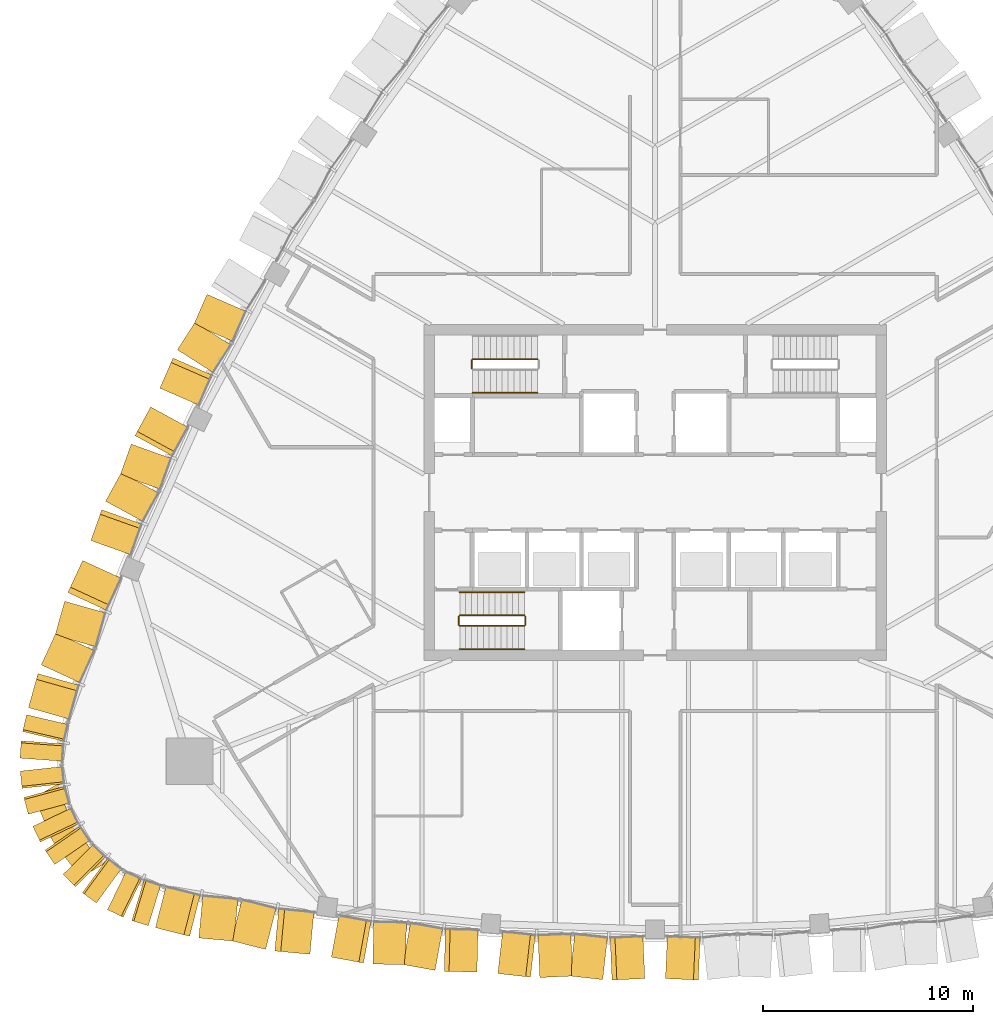
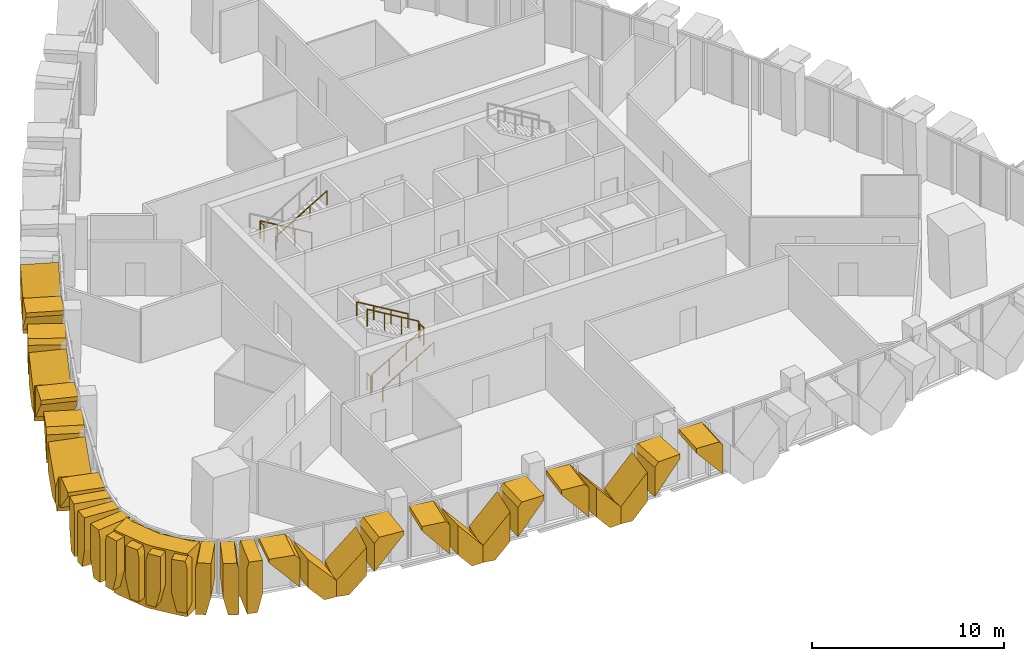
# One storey, part 16 of 19: 35 coverings, 9 railings.
"""IFC4 building model written with IfcOpenShell, lengths in metres."""

import ifcopenshell
import ifcopenshell.guid

model = None  # the IFC model being written
_history = None  # IfcOwnerHistory: only IFC2X3 demands one
_inside = {}  # id of a spatial element -> (the spatial element, [elements in it])
_under = {}  # id of a project, library or spatial element -> (it, [spatial elements below it])
_declared = {}  # id of a project -> (the project, [libraries it declares])
_typed = {}  # id of a type object -> (the type object, [elements of that type])
_made_of = {}  # id of a material, layer set ... -> (it, [elements and type objects made of it])


def new_model(schema):
    """Start an empty IFC model of exactly this schema.

    Asked for "IFC4X3", IfcOpenShell would pick the latest addendum, in which some entities
    have other attributes; the version numbers below select the first issue.
    IFC2X3 requires an IfcOwnerHistory on every rooted entity: one is made here for all.
    """
    global model, _history
    if schema == "IFC4X3":
        model = ifcopenshell.file(schema_version=(4, 3, 0, 0))
    else:
        model = ifcopenshell.file(schema=schema)
    _inside.clear()
    _under.clear()
    _declared.clear()
    _typed.clear()
    _made_of.clear()
    _history = None
    if model.schema == "IFC2X3":
        org = make("IfcOrganization", Name="unknown")
        user = make(
            "IfcPersonAndOrganization",
            ThePerson=make("IfcPerson", FamilyName="unknown"),
            TheOrganization=org,
        )
        app = make(
            "IfcApplication",
            ApplicationDeveloper=org,
            Version="unknown",
            ApplicationFullName="unknown",
            ApplicationIdentifier="unknown",
        )
        _history = make(
            "IfcOwnerHistory",
            OwningUser=user,
            OwningApplication=app,
            ChangeAction="ADDED",
            CreationDate=0,
        )
    return model


def make(cls, **values):
    """One entity of the class cls with the attributes given. An attribute that is None is left unset."""
    return model.create_entity(
        cls, **{name: value for name, value in values.items() if value is not None}
    )


def rooted(cls, **values):
    """An entity with a GlobalId (a new one), such as an element, a storey or a relation."""
    return make(cls, GlobalId=ifcopenshell.guid.new(), OwnerHistory=_history, **values)


def si_unit(unit_type, name, prefix=None):
    """IfcSIUnit, for example si_unit("LENGTHUNIT", "METRE", prefix="MILLI")."""
    return make("IfcSIUnit", UnitType=unit_type, Prefix=prefix, Name=name)


def assignment(units):
    """IfcUnitAssignment: the units of a project."""
    return None if units is None else make("IfcUnitAssignment", Units=units)


def point(xyz):
    """IfcCartesianPoint."""
    return None if xyz is None else make("IfcCartesianPoint", Coordinates=xyz)


def direction(xyz):
    """IfcDirection."""
    return None if xyz is None else make("IfcDirection", DirectionRatios=xyz)


def frame(location, z_axis=None, x_axis=None):
    """IfcAxis2Placement3D, a coordinate frame: its origin and axes. An axis left out is left unset."""
    return make(
        "IfcAxis2Placement3D",
        Location=point(location),
        Axis=direction(z_axis),
        RefDirection=direction(x_axis),
    )


def frame_2d(location, x_axis=None):
    """IfcAxis2Placement2D, a coordinate frame in the plane: its origin and x axis."""
    return make(
        "IfcAxis2Placement2D", Location=point(location), RefDirection=direction(x_axis)
    )


def origin():
    """The frame at (0, 0, 0) with its axes left unset."""
    return frame((0.0, 0.0, 0.0))


def origin_2d():
    """The frame at (0, 0) in the plane with its x axis left unset."""
    return frame_2d((0.0, 0.0))


def place(relative_to, where):
    """IfcLocalPlacement: puts the frame where relative to a parent placement (None: the world)."""
    return make(
        "IfcLocalPlacement", PlacementRelTo=relative_to, RelativePlacement=where
    )


def context(
    kind, dimensions, precision=None, world=None, true_north=None, identifier=None
):
    """IfcGeometricRepresentationContext, for example the 3D "Model" context."""
    return make(
        "IfcGeometricRepresentationContext",
        ContextIdentifier=identifier,
        ContextType=kind,
        CoordinateSpaceDimension=dimensions,
        Precision=precision,
        WorldCoordinateSystem=world,
        TrueNorth=true_north,
    )


def subcontext(parent, identifier, kind, view, scale=None):
    """IfcGeometricRepresentationSubContext, for example "Body" below "Model"."""
    return make(
        "IfcGeometricRepresentationSubContext",
        ContextIdentifier=identifier,
        ContextType=kind,
        ParentContext=parent,
        TargetScale=scale,
        TargetView=view,
    )


def project(units=None, contexts=None):
    """IfcProject with its units and contexts."""
    return rooted(
        "IfcProject",
        Name="project",
        RepresentationContexts=contexts,
        UnitsInContext=assignment(units),
    )


def spatial(cls, under=None, at=None, **own):
    """A site, building, storey or space (cls), placed at a placement, below another one or the project."""
    s = rooted(cls, ObjectPlacement=at, **own)
    if under is not None:
        _under.setdefault(under.id(), (under, []))[1].append(s)
    return s


def polyline(points):
    """IfcPolyline through the points."""
    return make("IfcPolyline", Points=[point(p) for p in points])


def profile(cls, at=None, kind="AREA", **sizes):
    """A parametric profile (cls). Its sizes go by their IFC names, for example OverallWidth=200.0."""
    return make(cls, ProfileType=kind, Position=at, **sizes)


def circle(**sizes):
    """IfcCircleProfileDef."""
    return profile("IfcCircleProfileDef", **sizes)


def outline(outer, holes=None, kind="AREA"):
    """IfcArbitraryClosedProfileDef: a profile drawn as a closed curve; with holes, ...WithVoids."""
    if holes is None:
        return make("IfcArbitraryClosedProfileDef", ProfileType=kind, OuterCurve=outer)
    return make(
        "IfcArbitraryProfileDefWithVoids",
        ProfileType=kind,
        OuterCurve=outer,
        InnerCurves=holes,
    )


def extrude(swept, where, along, depth):
    """IfcExtrudedAreaSolid: the profile swept, set in the frame where, extruded along a direction by depth."""
    return make(
        "IfcExtrudedAreaSolid",
        SweptArea=swept,
        Position=where,
        ExtrudedDirection=direction(along),
        Depth=depth,
    )


def shape(context_of_items, identifier, shape_type, items):
    """IfcShapeRepresentation: the items that make up one representation, for example the "Body"."""
    return make(
        "IfcShapeRepresentation",
        ContextOfItems=context_of_items,
        RepresentationIdentifier=identifier,
        RepresentationType=shape_type,
        Items=items,
    )


def material(Name=None, Category=None):
    """IfcMaterial."""
    return make("IfcMaterial", Name=Name, Category=Category)


def layer(
    of_material, thickness, ventilated=None, Name=None, Category=None, Priority=None
):
    """IfcMaterialLayer: one layer of a wall or slab, of a material (None: an air gap)."""
    return make(
        "IfcMaterialLayer",
        Material=of_material,
        LayerThickness=thickness,
        IsVentilated=ventilated,
        Name=Name,
        Category=Category,
        Priority=Priority,
    )


def layer_set(layers, Name=None):
    """IfcMaterialLayerSet."""
    return make("IfcMaterialLayerSet", MaterialLayers=layers, LayerSetName=Name)


def made_of(thing, what):
    """Note that an element or type object is made of a material, layer set ...; save() writes the relation."""
    if what is not None:
        _made_of.setdefault(what.id(), (what, []))[1].append(thing)
    return thing


def type_object(cls, material=None, **own):
    """A type object (cls), such as IfcWallType, which elements share."""
    return made_of(rooted(cls, **own), material)


def element(
    cls,
    number,
    at=None,
    inside=None,
    cuts=None,
    type_object=None,
    material=None,
    context=None,
    identifier="Body",
    shape_type=None,
    held_by="IfcProductDefinitionShape",
    body=None,
    shapes=None,
    **own,
):
    """One element of the class cls, such as IfcWall. Its Tag is "e" and its number.

    at: its placement. inside: the storey or other place that contains it. cuts: it is an
    opening in that element (IfcRelVoidsElement). A single representation is given by context,
    identifier, shape_type and body (its items); several are given by shapes. held_by: the class
    of the entity that holds the representations. save() writes the other relations.
    """
    e = rooted(cls, Tag="e%d" % number, ObjectPlacement=at, **own)
    if body is not None:
        shapes = [shape(context, identifier, shape_type, body)]
    if shapes is not None:
        e.Representation = make(held_by, Representations=shapes)
    if inside is not None:
        _inside.setdefault(inside.id(), (inside, []))[1].append(e)
    if cuts is not None:
        rooted(
            "IfcRelVoidsElement", RelatingBuildingElement=cuts, RelatedOpeningElement=e
        )
    if type_object is not None:
        _typed.setdefault(type_object.id(), (type_object, []))[1].append(e)
    return made_of(e, material)


def aggregate(whole, parts):
    """IfcRelAggregates: a whole, such as a stair, and the parts it consists of."""
    return rooted("IfcRelAggregates", RelatingObject=whole, RelatedObjects=parts)


def save(model, path):
    """Write the relations noted so far, then the file.

    IfcRelAggregates (storeys below a building ...), IfcRelContainedInSpatialStructure (elements
    in a storey), IfcRelDefinesByType, IfcRelAssociatesMaterial and IfcRelDeclares: one each for
    every whole, place, type object, material and project.
    """
    for whole, parts in _under.values():
        aggregate(whole, parts)
    for where, things in _inside.values():
        rooted(
            "IfcRelContainedInSpatialStructure",
            RelatedElements=things,
            RelatingStructure=where,
        )
    for kind, things in _typed.values():
        rooted("IfcRelDefinesByType", RelatedObjects=things, RelatingType=kind)
    for what, things in _made_of.values():
        rooted("IfcRelAssociatesMaterial", RelatedObjects=things, RelatingMaterial=what)
    for by, libraries in _declared.values():
        rooted("IfcRelDeclares", RelatingContext=by, RelatedDefinitions=libraries)
    model.write(path)


model = new_model("IFC4")

# Units and contexts
model_context = context("Model", 3, precision=1e-05, world=origin(), true_north=direction((0.0, 1.0)))
body_context = subcontext(model_context, "Body", "Model", "MODEL_VIEW")
ifc_project = project(units=[si_unit("LENGTHUNIT", "METRE"), si_unit("AREAUNIT", "SQUARE_METRE"), si_unit("VOLUMEUNIT", "CUBIC_METRE"), si_unit("PLANEANGLEUNIT", "RADIAN"), si_unit("MASSUNIT", "GRAM", prefix="KILO")], contexts=[model_context])

# Site, building, storey
site_placement = place(None, origin())
site = spatial("IfcSite", under=ifc_project, at=site_placement, CompositionType="ELEMENT")
building_placement = place(site_placement, origin())
building = spatial("IfcBuilding", under=site, at=building_placement, Name="Sierra Prisma Convention Tower", CompositionType="ELEMENT")
storey_placement = place(building_placement, frame((0.0, 0.0, 235.0)))
storey = spatial("IfcBuildingStorey", under=building, at=storey_placement, Name="L52", CompositionType="ELEMENT", Elevation=235.0)

# Coverings
ifc_material_1 = material(Name="Aluminium composite bronze anodised", Category="aluminium")
ifc_layer_1 = layer(ifc_material_1, 1.199951171875)
ifc_layer_set_1 = layer_set([ifc_layer_1], Name="Bronze corner pier")
covering_type_1 = type_object("IfcCoveringType", Name="Bronze corner pier", PredefinedType="CLADDING", material=ifc_layer_set_1)
covering_1_placement = place(storey_placement, frame((0.0, 0.0, -0.60009765625)))
element("IfcCovering", 1, at=covering_1_placement, inside=storey, type_object=covering_type_1, Name="Corner pier SW L52.1", PredefinedType="CLADDING", context=body_context, shape_type="SweptSolid", body=[
    extrude(outline(polyline([(-27.504638671875, -18.094970703125), (-28.593994140625, -16.702880859375), (-28.76220703125, -16.411865234375), (-29.423095703125, -14.772216796875), (-29.493408203125, -14.48779296875), (-28.3603515625, -13.83349609375), (-28.31005859375, -14.32373046875), (-27.649169921875, -15.963134765625), (-26.559814453125, -17.355224609375), (-26.160400390625, -17.64404296875), (-27.29345703125, -18.298095703125), (-27.504638671875, -18.094970703125)])), origin(), (0.0, 0.0, 1.0), 4.0),
])
ifc_material_2 = material(Name="Aluminium 6063-T6 bronze anodised", Category="aluminium")
ifc_layer_2 = layer(ifc_material_2, 2.0)
ifc_layer_set_2 = layer_set([ifc_layer_2], Name="Bronze crystal chevron frame")
covering_type_2 = type_object("IfcCoveringType", Name="Bronze crystal chevron frame", PredefinedType="CLADDING", material=ifc_layer_set_2)
covering_2_placement = place(storey_placement, frame((-23.778564453125, -20.708984375, 3.280029296875), z_axis=(-0.246336925667, -0.969184253533, -4.1912138e-05), x_axis=(1.0324507e-05, 4.0620584e-05, -0.999999999122)))
element("IfcCovering", 2, at=covering_2_placement, inside=storey, type_object=covering_type_2, Name="CW-2 chevron frame S1.1.1", PredefinedType="CLADDING", context=body_context, shape_type="SweptSolid", body=[
    extrude(outline(polyline([(0.0, 0.0), (0.2421874997872834, 0.0), (2.1035156237013997, 1.6799391801417956), (0.312500000274473, 1.6799391801417956), (-3.5715800776306612e-09, 1.3980844761362197), (0.0, 0.0)])), origin(), (0.0, 0.0, -1.0), 2.0),
])
covering_3_placement = place(storey_placement, frame((-21.71337890625, -21.1982421875, 2.823486328125), z_axis=(-0.091699177259, -0.995786754717, 4.417036e-06), x_axis=(-4.05039e-07, -4.398426e-06, -0.99999999999)))
element("IfcCovering", 3, at=covering_3_placement, inside=storey, type_object=covering_type_2, Name="CW-2 chevron frame S1.1.2", PredefinedType="CLADDING", context=body_context, shape_type="SweptSolid", body=[
    extrude(outline(polyline([(0.0, 0.0), (1.7910156249825284, 0.0), (2.8234863281713154, 0.9316612255868668), (2.8234863281176006, 1.6799299375587982), (1.8613281250019862, 1.6799299375587982), (0.0, 0.0)])), origin(), (0.0, 0.0, -1.0), 2.0),
])
covering_4_placement = place(storey_placement, frame((-20.1630859375, -21.331298828125, 0.0), z_axis=(-0.246452552821, -0.96915485796, -2.2360922e-05), x_axis=(0.969154858203, -0.246452552882, -1.84e-09)))
element("IfcCovering", 4, at=covering_4_placement, inside=storey, type_object=covering_type_2, Name="CW-2 chevron frame S1.2.1", PredefinedType="CLADDING", context=body_context, shape_type="SweptSolid", body=[
    extrude(outline(polyline([(0.0, 0.0), (0.7481595718476574, -8.470329472543003e-22), (1.6799993338038257, 1.032470706474329), (1.6799993305083494, 2.8234863310265657), (-1.7703751162901003e-09, 0.9621582028844552), (0.0, 0.0)])), origin(), (0.0, 0.0, -1.0), 2.0),
])
covering_5_placement = place(storey_placement, frame((-16.425048828125, -21.974853515625, 3.280029296875), z_axis=(-0.091847381881, -0.995773095833, 7.550063e-06), x_axis=(-0.995773095861, 0.091847381883, 8.3e-11)))
element("IfcCovering", 5, at=covering_5_placement, inside=storey, type_object=covering_type_2, Name="CW-2 chevron frame S1.2.2", PredefinedType="CLADDING", context=body_context, shape_type="SweptSolid", body=[
    extrude(outline(polyline([(0.0, 0.0), (1.3980004676444597, 2.117582368135751e-22), (1.679952343282643, 0.3125000001481813), (1.6799523431341612, 2.1035156250971343), (-2.0078271312283478e-11, 0.24218749999309724), (0.0, 0.0)])), origin(), (0.0, 0.0, -1.0), 2.0),
])
covering_6_placement = place(storey_placement, frame((-15.40869140625, -22.11279296875, 3.280029296875), z_axis=(-0.179828920151, -0.983697900149, -2.6835464e-05), x_axis=(4.825793e-06, 2.639799e-05, -0.99999999964)))
element("IfcCovering", 6, at=covering_6_placement, inside=storey, type_object=covering_type_2, Name="CW-2 chevron frame S2.1.1", PredefinedType="CLADDING", context=body_context, shape_type="SweptSolid", body=[
    extrude(outline(polyline([(0.0, 0.0), (0.283935546772763, 0.0), (2.135253905675785, 1.5558803908253522), (0.2702636719723141, 1.5558803908253522), (-1.5475319965770916e-09, 1.3288015312950088), (0.0, 0.0)])), origin(), (0.0, 0.0, -1.0), 2.0),
])
covering_7_placement = place(storey_placement, frame((-13.43701171875, -22.43798828125, 2.855224609375), z_axis=(-0.023726256645, -0.999718491194, -5.5772971e-05), x_axis=(1.323284e-06, 5.575727e-05, -0.999999998445)))
element("IfcCovering", 7, at=covering_7_placement, inside=storey, type_object=covering_type_2, Name="CW-2 chevron frame S2.1.2", PredefinedType="CLADDING", context=body_context, shape_type="SweptSolid", body=[
    extrude(outline(polyline([(0.0, 0.0), (1.864990231474358, 0.0), (2.8552246169385405, 0.8322604306206902), (2.8552246080144816, 1.5561008057993417), (1.8513183595758693, 1.5561008057993417), (0.0, 0.0)])), origin(), (0.0, 0.0, -1.0), 2.0),
])
covering_8_placement = place(storey_placement, frame((-12.0048828125, -22.462158203125, 0.0), z_axis=(-0.179821748669, -0.983699211491, -4.130661e-06), x_axis=(0.9836992115, -0.179821748671, -6.8e-11)))
element("IfcCovering", 8, at=covering_8_placement, inside=storey, type_object=covering_type_2, Name="CW-2 chevron frame S2.2.1", PredefinedType="CLADDING", context=body_context, shape_type="SweptSolid", body=[
    extrude(outline(polyline([(0.0, 0.0), (0.7237089581968825, 0.0), (1.5558803907699026, 0.9902343751136843), (1.5558803906437586, 2.855224609472774), (-6.790209245338914e-11, 1.0039062499914355), (0.0, 0.0)])), origin(), (0.0, 0.0, -1.0), 2.0),
])
covering_9_placement = place(storey_placement, frame((-8.4775390625, -22.82421875, 3.280029296875), z_axis=(-0.023691462687, -0.999719317899, 3.959562e-06), x_axis=(-0.999719317907, 0.023691462687, 2.5e-11)))
element("IfcCovering", 9, at=covering_9_placement, inside=storey, type_object=covering_type_2, Name="CW-2 chevron frame S2.2.2", PredefinedType="CLADDING", context=body_context, shape_type="SweptSolid", body=[
    extrude(outline(polyline([(0.0, 0.0), (1.3289865055504513, 0.0), (1.5561008067721895, 0.27026367191656736), (1.55610080672491, 2.1352539062769478), (-7.198052564198328e-12, 0.2839355468727742), (0.0, 0.0)])), origin(), (0.0, 0.0, -1.0), 2.0),
])
covering_10_placement = place(storey_placement, frame((-7.486083984375, -22.8916015625, 3.280029296875), z_axis=(-0.112370173205, -0.993666411588, 8.1585093e-05), x_axis=(-9.167731e-06, -8.1068367e-05, -0.999999996672)))
element("IfcCovering", 10, at=covering_10_placement, inside=storey, type_object=covering_type_2, Name="CW-2 chevron frame S3.1.1", PredefinedType="CLADDING", context=body_context, shape_type="SweptSolid", body=[
    extrude(outline(polyline([(0.0, 0.0), (0.28100585843979464, 0.0), (2.1330566353444618, 1.5641081353019988), (0.27319336028420493, 1.5641081353019988), (-1.4249897817137616e-08, 1.333376599130333), (0.0, 0.0)])), origin(), (0.0, 0.0, -1.0), 2.0),
])
covering_11_placement = place(storey_placement, frame((-5.48876953125, -23.08251953125, 2.85302734375), z_axis=(0.044479301233, -0.999010306057, -1.2391676e-05), x_axis=(-5.51173e-07, 1.2379412e-05, -0.999999999923)))
element("IfcCovering", 11, at=covering_11_placement, inside=storey, type_object=covering_type_2, Name="CW-2 chevron frame S3.1.2", PredefinedType="CLADDING", context=body_context, shape_type="SweptSolid", body=[
    extrude(outline(polyline([(0.0, 0.0), (1.8598632811072056, 0.0), (2.8530273441227503, 0.8387228280616025), (2.8530273436834577, 1.5640484765890152), (1.8520507812603095, 1.5640484765890152), (0.0, 0.0)])), origin(), (0.0, 0.0, -1.0), 2.0),
])
covering_12_placement = place(storey_placement, frame((-4.050537109375, -23.0087890625, 0.0), z_axis=(-0.11239015357, -0.993664155183, 9.224654e-06), x_axis=(0.993664155225, -0.112390153574, -3.36e-10)))
element("IfcCovering", 12, at=covering_12_placement, inside=storey, type_object=covering_type_2, Name="CW-2 chevron frame S3.2.1", PredefinedType="CLADDING", context=body_context, shape_type="SweptSolid", body=[
    extrude(outline(polyline([(0.0, 0.0), (0.7253014886520524, 0.0), (1.5641081351006256, 0.9931640630672351), (1.564108134476379, 2.853027344238103), (-3.3596887334187943e-10, 1.0009765624574112), (0.0, 0.0)])), origin(), (0.0, 0.0, -1.0), 2.0),
])
covering_13_placement = place(storey_placement, frame((-0.49072265625, -23.130126953125, 3.280029296875), z_axis=(0.044487834454, -0.999009926162, -3.853037e-06), x_axis=(-0.99900992617, -0.044487834454, 2.4e-11)))
element("IfcCovering", 13, at=covering_13_placement, inside=storey, type_object=covering_type_2, Name="CW-2 chevron frame S3.2.2", PredefinedType="CLADDING", context=body_context, shape_type="SweptSolid", body=[
    extrude(outline(polyline([(0.0, 0.0), (1.3333517336314005, 0.0), (1.5640484766305687, 0.27319335941431017), (1.564048476586235, 2.1330566406505045), (-6.698337540848621e-12, 0.2810058593729141), (0.0, 0.0)])), origin(), (0.0, 0.0, -1.0), 2.0),
])
covering_14_placement = place(storey_placement, frame((0.49072265625, -23.130126953125, 3.280029296875), z_axis=(-0.044487834454, -0.999009926162, -3.853037e-06), x_axis=(1.71413e-07, 3.849222e-06, -0.999999999993)))
element("IfcCovering", 14, at=covering_14_placement, inside=storey, type_object=covering_type_2, Name="CW-2 chevron frame S4.1.1", PredefinedType="CLADDING", context=body_context, shape_type="SweptSolid", body=[
    extrude(outline(polyline([(0.0, 0.0), (0.2810058593729141, -7.438163164441679e-24), (2.1330566406132223, 1.5640484766370808), (0.27319335937702793, 1.5640484766370808), (-3.17831094072656e-11, 1.3333517336314005), (0.0, 0.0)])), origin(), (0.0, 0.0, -1.0), 2.0),
])
covering_15_placement = place(storey_placement, frame((-21.32666015625, 9.43017578125, 2.85302734375), z_axis=(-0.916724133803, 0.399520790479, -2.1883798e-05), x_axis=(2.0061406e-05, -8.743032e-06, -0.999999999761)))
element("IfcCovering", 15, at=covering_15_placement, inside=storey, type_object=covering_type_2, Name="CW-2 chevron frame NW4.1.2", PredefinedType="CLADDING", context=body_context, shape_type="SweptSolid", body=[
    extrude(outline(polyline([(0.0, 0.0), (1.8598632808046553, 0.0), (2.853027344912527, 0.8386002985117376), (2.853027343542469, 1.5638129438619193), (1.852050781282153, 1.5638129438619193), (0.0, 0.0)])), origin(), (0.0, 0.0, -1.0), 2.0),
])
covering_16_placement = place(storey_placement, frame((-21.89306640625, 8.106201171875, 0.0), z_axis=(-0.842991322279, 0.537927159895, -3.4767242e-05), x_axis=(-0.53792716022, -0.842991322789, -4.767e-09)))
element("IfcCovering", 16, at=covering_16_placement, inside=storey, type_object=covering_type_2, Name="CW-2 chevron frame NW4.2.1", PredefinedType="CLADDING", context=body_context, shape_type="SweptSolid", body=[
    extrude(outline(polyline([(0.0, 0.0), (0.7254152503950564, -1.6940658945086007e-21), (1.5639282514127886, 0.9931640705555325), (1.5639282425467758, 2.8530273506814674), (-4.7716792381794914e-09, 1.0009765618950293), (0.0, 0.0)])), origin(), (0.0, 0.0, -1.0), 2.0),
])
covering_17_placement = place(storey_placement, frame((-23.567626953125, 4.962646484375, 3.280029296875), z_axis=(-0.916752388275, 0.399455952002, 3.1675167e-05), x_axis=(0.399455952202, 0.916752388734, 1.611e-09)))
element("IfcCovering", 17, at=covering_17_placement, inside=storey, type_object=covering_type_2, Name="CW-2 chevron frame NW4.2.2", PredefinedType="CLADDING", context=body_context, shape_type="SweptSolid", body=[
    extrude(outline(polyline([(0.0, 0.0), (1.333445336449794, 3.3881317890172014e-21), (1.5640367575488396, 0.2731933620314646), (1.564036754552895, 2.1330566423484494), (-4.526558268415829e-10, 0.28100585923403115), (0.0, 0.0)])), origin(), (0.0, 0.0, -1.0), 2.0),
])
covering_18_placement = place(storey_placement, frame((-24.005126953125, 4.0703125, 3.280029296875), z_axis=(-0.877652365836, 0.479297740095, 3.2899308e-05), x_axis=(-2.8874156e-05, 1.5768564e-05, -0.999999999459)))
element("IfcCovering", 18, at=covering_18_placement, inside=storey, type_object=covering_type_2, Name="CW-2 chevron frame NW5.1.1", PredefinedType="CLADDING", context=body_context, shape_type="SweptSolid", body=[
    extrude(outline(polyline([(0.0, 0.0), (0.28393554672133914, -4.810055261995856e-22), (2.1352539053869624, 1.556113753399904), (0.2702636720212619, 1.556113753399904), (-2.3259209355283735e-09, 1.3290797877974194), (0.0, 0.0)])), origin(), (0.0, 0.0, -1.0), 2.0),
])
covering_19_placement = place(storey_placement, frame((-24.932373046875, 2.300048828125, 2.855224609375), z_axis=(-0.941826573956, 0.336099244089, -5.2081077e-05), x_axis=(4.9051343e-05, -1.7504411e-05, -0.999999998644)))
element("IfcCovering", 19, at=covering_19_placement, inside=storey, type_object=covering_type_2, Name="CW-2 chevron frame NW5.1.2", PredefinedType="CLADDING", context=body_context, shape_type="SweptSolid", body=[
    extrude(outline(polyline([(0.0, 0.0), (1.8649902318456644, 0.0), (2.855224615970345, 0.8322848554880771), (2.8552246081886397, 1.5560814240582963), (1.8513183595501563, 1.5560814240582963), (0.0, 0.0)])), origin(), (0.0, 0.0, -1.0), 2.0),
])
covering_20_placement = place(storey_placement, frame((-25.75146484375, 0.3125, 0.0), z_axis=(-0.877675568454, 0.479255251786, 1.3174847e-05), x_axis=(-0.308282066802, -0.564587919255, 0.765638719449)))
element("IfcCovering", 20, at=covering_20_placement, inside=storey, type_object=covering_type_2, Name="CW-2 chevron frame NW5.2.1", PredefinedType="CLADDING", context=body_context, shape_type="SweptSolid", body=[
    extrude(outline(polyline([(0.0, 0.0), (1.2933441717931542, -1.1102230246251565e-16), (2.7212529066241053, 1.1996938020611168), (0.30302241981044614, 1.1999620157339734), (-0.46560707588596323, 0.5541784165619205), (0.0, 0.0)])), origin(), (0.0, 0.0, -1.0), 2.0),
])
covering_21_placement = place(storey_placement, frame((-26.8544921875, -2.287841796875, 3.280029296875), z_axis=(-0.941822089198, 0.336111813248, -3.5963822e-05), x_axis=(0.336111813465, 0.941822089808, 2.092e-09)))
element("IfcCovering", 21, at=covering_21_placement, inside=storey, type_object=covering_type_2, Name="CW-2 chevron frame NW5.2.2", PredefinedType="CLADDING", context=body_context, shape_type="SweptSolid", body=[
    extrude(outline(polyline([(0.0, 0.0), (1.3287423191358554, -3.3881317890172014e-21), (1.555851485632508, 0.27026367530425055), (1.5558514817313918, 2.1352539084731648), (-5.939256749814332e-10, 0.2839355466913794), (0.0, 0.0)])), origin(), (0.0, 0.0, -1.0), 2.0),
])
covering_22_placement = place(storey_placement, frame((-27.2431640625, -3.237060546875, 3.280029296875), z_axis=(-0.908268039826, 0.418388775438, -2.0437365e-05), x_axis=(1.8562605e-05, -8.550764e-06, -0.999999999791)))
element("IfcCovering", 22, at=covering_22_placement, inside=storey, type_object=covering_type_2, Name="CW-2 chevron frame NW6.1.1", PredefinedType="CLADDING", context=body_context, shape_type="SweptSolid", body=[
    extrude(outline(polyline([(0.0, 0.0), (0.24218749994942085, 0.0), (2.103515624691222, 1.6799845055754667), (0.3125000000652634, 1.6799845055754667), (-8.492402122969037e-10, 1.39803749567423), (0.0, 0.0)])), origin(), (0.0, 0.0, -1.0), 2.0),
])
covering_23_placement = place(storey_placement, frame((-28.099365234375, -5.178955078125, 2.823486328125), z_axis=(-0.962524933238, 0.27119320198, -9.707092e-06), x_axis=(9.343318e-06, -2.632497e-06, -0.999999999953)))
element("IfcCovering", 23, at=covering_23_placement, inside=storey, type_object=covering_type_2, Name="CW-2 chevron frame NW6.1.2", PredefinedType="CLADDING", context=body_context, shape_type="SweptSolid", body=[
    extrude(outline(polyline([(0.0, 0.0), (1.7910156249156186, 0.0), (2.8234863283486873, 0.9318851486687146), (2.823486328089262, 1.6798948115373191), (1.8613281250095932, 1.6798948115373191), (0.0, 0.0)])), origin(), (0.0, 0.0, -1.0), 2.0),
])
covering_24_placement = place(storey_placement, frame((-28.511962890625, -6.679443359375, 0.0), z_axis=(-0.908277114343, 0.418369074757, -2.9107345e-05), x_axis=(-0.418369074934, -0.908277114728, -3.117e-09)))
element("IfcCovering", 24, at=covering_24_placement, inside=storey, type_object=covering_type_2, Name="CW-2 chevron frame NW6.2.1", PredefinedType="CLADDING", context=body_context, shape_type="SweptSolid", body=[
    extrude(outline(polyline([(0.0, 0.0), (0.7482892191085257, 1.6940658945086007e-21), (1.6799845021003565, 1.032470708799278), (1.6799844965173425, 2.8234863330405697), (-2.9992718566429923e-09, 0.9621582027174116), (0.0, 0.0)])), origin(), (0.0, 0.0, -1.0), 2.0),
])
covering_25_placement = place(storey_placement, frame((-29.82373046875, -10.23828125, 3.280029296875), z_axis=(-0.962524995153, 0.271192980653, 3.0835866e-05), x_axis=(0.271192980782, 0.96252499561, 1.383e-09)))
element("IfcCovering", 25, at=covering_25_placement, inside=storey, type_object=covering_type_2, Name="CW-2 chevron frame NW6.2.2", PredefinedType="CLADDING", context=body_context, shape_type="SweptSolid", body=[
    extrude(outline(polyline([(0.0, 0.0), (1.397860827627615, -1.6940658945086007e-21), (1.6798948111073833, 0.3125000024719022), (1.679894808630369, 2.1035156266204083), (-3.349506810266933e-10, 0.2421874998848579), (0.0, 0.0)])), origin(), (0.0, 0.0, -1.0), 2.0),
])
covering_26_placement = place(storey_placement, frame((-29.910888671875, -10.57763671875, 3.280029296875), z_axis=(-0.973841573523, 0.227228054118, 3.3163125e-05), x_axis=(-3.229563e-05, 7.535592e-06, -0.99999999945)))
element("IfcCovering", 26, at=covering_26_placement, inside=storey, type_object=covering_type_2, Name="CW-2 chevron frame SW1.1.1", PredefinedType="CLADDING", context=body_context, shape_type="SweptSolid", body=[
    extrude(outline(polyline([(0.0, 0.0), (2.128906248829322, -1.8032537353656003e-21), (3.280029298502559, 0.27353620877194873), (3.2800292959036597, 0.8250546303431374), (0.4099121099819267, 0.8250546303431374), (-2.8523512427232805e-09, 0.7277576860875585), (0.0, 0.0)])), origin(), (0.0, 0.0, -1.0), 2.0),
])
covering_27_placement = place(storey_placement, frame((-30.204345703125, -12.369873046875, 0.0), z_axis=(-0.99741428059, 0.07186620825, -3.1403443e-05), x_axis=(-0.016638464109, -0.23049620581, 0.972930963953)))
element("IfcCovering", 27, at=covering_27_placement, inside=storey, type_object=covering_type_2, Name="CW-2 chevron frame SW1.1.2", PredefinedType="CLADDING", context=body_context, shape_type="SweptSolid", body=[
    extrude(outline(polyline([(0.0, 0.0), (1.1831497735651537, -5.551115123125783e-17), (3.2544285835439135, 0.49198161363250864), (3.0862582097174096, 1.1999912741046217), (2.6649273762581087, 1.2000505676546738), (-0.12749850563527435, 0.5367781078079109), (0.0, 0.0)])), origin(), (0.0, 0.0, -1.0), 2.0),
])
covering_28_placement = place(storey_placement, frame((-30.212890625, -13.259521484375, 3.280029296875), z_axis=(-0.994176209431, -0.107766711794, 2.07337e-05), x_axis=(-2.0612951e-05, -2.234403e-06, -0.999999999785)))
element("IfcCovering", 28, at=covering_28_placement, inside=storey, type_object=covering_type_2, Name="CW-2 chevron frame SW2.1.1", PredefinedType="CLADDING", context=body_context, shape_type="SweptSolid", body=[
    extrude(outline(polyline([(0.0, 0.0), (2.128906249542406, 0.0), (3.2800292994258444, 0.2733032536017955), (3.280029296717908, 0.8248693777585527), (0.4099121098348201, 0.8248693777585527), (9.223045159250989e-10, 0.7276213924979176), (0.0, 0.0)])), origin(), (0.0, 0.0, -1.0), 2.0),
])
covering_29_placement = place(storey_placement, frame((-30.041748046875, -14.515380859375, 0.0), z_axis=(-0.965104966905, -0.261863327058, -2.823205e-05), x_axis=(0.261863327162, -0.96510496729, -2.726e-09)))
element("IfcCovering", 29, at=covering_29_placement, inside=storey, type_object=covering_type_2, Name="CW-2 chevron frame SW2.1.2", PredefinedType="CLADDING", context=body_context, shape_type="SweptSolid", body=[
    extrude(outline(polyline([(0.0, 0.0), (0.5517375545261682, 0.0), (0.8251761315879287, 1.1511230492191358), (0.8251761257841725, 3.280029298370715), (0.09736307661264491, 3.2800292989105526), (-7.824421735506566e-09, 2.8701171863561883), (0.0, 0.0)])), origin(), (0.0, 0.0, -1.0), 2.0),
])
covering_30_placement = place(storey_placement, frame((-29.611083984375, -15.89013671875, 3.280029296875), z_axis=(-0.902613747694, -0.43045141704, -6.468359e-06), x_axis=(5.83843e-06, 2.784314e-06, -0.999999999979)))
element("IfcCovering", 30, at=covering_30_placement, inside=storey, type_object=covering_type_2, Name="CW-2 chevron frame SW3.1.1", PredefinedType="CLADDING", context=body_context, shape_type="SweptSolid", body=[
    extrude(outline(polyline([(0.0, 0.0), (2.1289062499554636, 9.016268676828002e-22), (3.2800292966065263, 0.2734424028211575), (3.2800292967996385, 0.8252395888863913), (0.40991210935968075, 0.8252395888863913), (-4.600572515665491e-10, 0.727832705851941), (0.0, 0.0)])), origin(), (0.0, 0.0, -1.0), 2.0),
])
covering_31_placement = place(storey_placement, frame((-29.0341796875, -17.01904296875, 0.0), z_axis=(-0.824133575524, -0.566395488708, 8.08456e-06), x_axis=(0.566395488727, -0.824133575551, 9.39e-10)))
element("IfcCovering", 31, at=covering_31_placement, inside=storey, type_object=covering_type_2, Name="CW-2 chevron frame SW3.1.2", PredefinedType="CLADDING", context=body_context, shape_type="SweptSolid", body=[
    extrude(outline(polyline([(0.0, 0.0), (0.5516413435658322, 0.0), (0.8250226996487889, 1.1511230460232478), (0.8250227016488918, 3.280029295953675), (0.09724638814820065, 3.280029297616883), (2.696468980121522e-09, 2.8701171874062044), (0.0, 0.0)])), origin(), (0.0, 0.0, -1.0), 2.0),
])
covering_32_placement = place(storey_placement, frame((-28.173095703125, -18.173828125, 3.280029296875), z_axis=(-0.70944926401, -0.704756512049, 2.2811465e-05), x_axis=(-1.6183577e-05, -1.6076529e-05, -0.99999999974)))
element("IfcCovering", 32, at=covering_32_placement, inside=storey, type_object=covering_type_2, Name="CW-2 chevron frame SW4.1.1", PredefinedType="CLADDING", context=body_context, shape_type="SweptSolid", body=[
    extrude(outline(polyline([(0.0, 0.0), (2.128906249446098, 3.606507470731201e-21), (3.280029298950764, 0.2734533821254732), (3.280029296567207, 0.8251927118349189), (0.4099121098139581, 0.8251927118349189), (3.964883228762498e-11, 0.727826812981323), (0.0, 0.0)])), origin(), (0.0, 0.0, -1.0), 2.0),
])
covering_33_placement = place(storey_placement, frame((-26.81005859375, -19.3740234375, 0.0), z_axis=(-0.590432676728, -0.807086893847, 5.692824e-06), x_axis=(0.18638260159, -0.136343236696, 0.972970733184)))
element("IfcCovering", 33, at=covering_33_placement, inside=storey, type_object=covering_type_2, Name="CW-2 chevron frame SW4.1.2", PredefinedType="CLADDING", context=body_context, shape_type="SweptSolid", body=[
    extrude(outline(polyline([(0.0, 0.0), (1.183101410071393, 0.0), (3.254464885013121, 0.4916250357940601), (3.0864438270521233, 1.199548063649094), (2.6651367666637498, 1.1995798026951934), (-0.12740325758108428, 0.5367880686590729), (0.0, 0.0)])), origin(), (0.0, 0.0, -1.0), 2.0),
])
covering_34_placement = place(storey_placement, frame((-26.060791015625, -19.853515625, 3.280029296875), z_axis=(-0.436387989898, -0.899758590971, 1.5706705e-05), x_axis=(-6.854217e-06, -1.4132243e-05, -0.999999999877)))
element("IfcCovering", 34, at=covering_34_placement, inside=storey, type_object=covering_type_2, Name="CW-2 chevron frame SW5.1.1", PredefinedType="CLADDING", context=body_context, shape_type="SweptSolid", body=[
    extrude(outline(polyline([(0.0, 0.0), (2.128906249737399, 0.0), (3.280029298538221, 0.2733033760512654), (3.2800292968080265, 0.8251558009421883), (0.4099121096620562, 0.8251558009421883), (7.413823485856387e-10, 0.7277571572776268), (0.0, 0.0)])), origin(), (0.0, 0.0, -1.0), 2.0),
])
covering_35_placement = place(storey_placement, frame((-24.377685546875, -20.535400390625, 0.0), z_axis=(-0.290285302395, -0.956940146095, 2.121251e-06), x_axis=(0.221192254663, -0.067095938015, 0.972919380822)))
element("IfcCovering", 35, at=covering_35_placement, inside=storey, type_object=covering_type_2, Name="CW-2 chevron frame SW5.1.2", PredefinedType="CLADDING", context=body_context, shape_type="SweptSolid", body=[
    extrude(outline(polyline([(0.0, 0.0), (1.1831638567942266, 0.0), (3.2544180073722853, 0.49208542447611203), (3.0862348294715254, 1.1999911818969162), (2.664894446050852, 1.2000695554822296), (-0.12749819089819056, 0.5366571414752145), (0.0, 0.0)])), origin(), (0.0, 0.0, -1.0), 2.0),
])

# Railings
ifc_material_3 = material(Name="Stainless steel", Category="steel")
railing_type_1 = type_object("IfcRailingType", Name="Exit stair handrail", PredefinedType="HANDRAIL", material=ifc_material_3)
railing_1_placement = place(storey_placement, frame((-9.300048828125, -7.449951171875, 0.166748046875)))
element("IfcRailing", 36, at=railing_1_placement, inside=storey, type_object=railing_type_1, Name="L52 S1 stair handrail 1", PredefinedType="HANDRAIL", context=body_context, shape_type="SweptSolid", body=[
    extrude(circle(Radius=0.02392578125, at=origin_2d()), frame((0.0, 0.0, 0.8759765625), z_axis=(0.859308565015, 0.0, 0.511457515432), x_axis=(0.0, 1.0, 0.0)), (0.0, 0.0, 1.0), 3.58447265625),
    extrude(circle(Radius=0.02099609375, at=origin_2d()), origin(), (0.0, 0.0, 1.0), 0.851806640625),
    extrude(circle(Radius=0.02099609375, at=origin_2d()), frame((1.026611328125, 0.0, 0.611083984375)), (0.0, 0.0, 1.0), 0.851806640625),
    extrude(circle(Radius=0.02099609375, at=origin_2d()), frame((2.053466796875, 0.0, 1.22216796875)), (0.0, 0.0, 1.0), 0.851806640625),
    extrude(circle(Radius=0.02099609375, at=origin_2d()), frame((3.080078125, 0.0, 1.833251953125)), (0.0, 0.0, 1.0), 0.851806640625),
])
railing_2_placement = place(storey_placement, frame((-6.219970703125, -4.75, 2.166748046875)))
element("IfcRailing", 37, at=railing_2_placement, inside=storey, type_object=railing_type_1, Name="L52 S1 stair handrail 2", PredefinedType="HANDRAIL", context=body_context, shape_type="SweptSolid", body=[
    extrude(circle(Radius=0.02392578125, at=origin_2d()), frame((0.0, 0.0, 0.8759765625), z_axis=(-0.859308565015, 0.0, 0.511457515432), x_axis=(0.0, -1.0, 0.0)), (0.0, 0.0, 1.0), 3.58447265625),
    extrude(circle(Radius=0.02099609375, at=origin_2d()), origin(), (0.0, 0.0, 1.0), 0.851806640625),
    extrude(circle(Radius=0.02099609375, at=origin_2d()), frame((-1.026611328125, 0.0, 0.611083984375)), (0.0, 0.0, 1.0), 0.851806640625),
    extrude(circle(Radius=0.02099609375, at=origin_2d()), frame((-2.053466796875, 0.0, 1.22216796875)), (0.0, 0.0, 1.0), 0.851806640625),
    extrude(circle(Radius=0.02099609375, at=origin_2d()), frame((-3.080078125, 0.0, 1.833251953125)), (0.0, 0.0, 1.0), 0.851806640625),
])
railing_3_placement = place(storey_placement, frame((-8.679931640625, 4.75, 2.166748046875)))
element("IfcRailing", 38, at=railing_3_placement, inside=storey, type_object=railing_type_1, Name="L52 S3 stair handrail 2", PredefinedType="HANDRAIL", context=body_context, shape_type="SweptSolid", body=[
    extrude(circle(Radius=0.02392578125, at=origin_2d()), frame((0.0, 0.0, 0.8759765625), z_axis=(0.859290745958, 0.0, 0.51148745235), x_axis=(0.0, 1.0, 0.0)), (0.0, 0.0, 1.0), 3.584228515625),
    extrude(circle(Radius=0.02099609375, at=origin_2d()), origin(), (0.0, 0.0, 1.0), 0.851806640625),
    extrude(circle(Radius=0.02099609375, at=origin_2d()), frame((1.026611328125, 0.0, 0.611083984375)), (0.0, 0.0, 1.0), 0.851806640625),
    extrude(circle(Radius=0.02099609375, at=origin_2d()), frame((2.05322265625, 0.0, 1.22216796875)), (0.0, 0.0, 1.0), 0.851806640625),
    extrude(circle(Radius=0.02099609375, at=origin_2d()), frame((3.079833984375, 0.0, 1.833251953125)), (0.0, 0.0, 1.0), 0.851806640625),
])
ifc_material_4 = material(Name="Stainless steel", Category="steel")
railing_type_2 = type_object("IfcRailingType", Name="Stair guard 1100", PredefinedType="GUARDRAIL", material=ifc_material_4)
railing_4_placement = place(storey_placement, frame((-9.300048828125, -6.35009765625, 0.166748046875)))
element("IfcRailing", 39, at=railing_4_placement, inside=storey, type_object=railing_type_2, Name="L52 S1 stair guard 1", PredefinedType="GUARDRAIL", context=body_context, shape_type="SweptSolid", body=[
    extrude(circle(Radius=0.02392578125, at=origin_2d()), frame((0.0, 0.0, 1.076171875), z_axis=(0.859308565015, 0.0, 0.511457515432), x_axis=(0.0, 1.0, 0.0)), (0.0, 0.0, 1.0), 3.58447265625),
    extrude(circle(Radius=0.02099609375, at=origin_2d()), origin(), (0.0, 0.0, 1.0), 1.052001953125),
    extrude(circle(Radius=0.02099609375, at=origin_2d()), frame((1.026611328125, 0.0, 0.611083984375)), (0.0, 0.0, 1.0), 1.052001953125),
    extrude(circle(Radius=0.02099609375, at=origin_2d()), frame((2.053466796875, 0.0, 1.22216796875)), (0.0, 0.0, 1.0), 1.052001953125),
    extrude(circle(Radius=0.02099609375, at=origin_2d()), frame((3.080078125, 0.0, 1.833251953125)), (0.0, 0.0, 1.0), 1.052001953125),
])
railing_5_placement = place(storey_placement, frame((-6.169921875, -6.300048828125, 2.0)))
element("IfcRailing", 40, at=railing_5_placement, inside=storey, type_object=railing_type_2, Name="L52 S1 stair guard 2", PredefinedType="GUARDRAIL", context=body_context, shape_type="SweptSolid", body=[
    extrude(circle(Radius=0.02392578125, at=origin_2d()), frame((0.0, 0.0, 1.076171875), z_axis=(0.0, 1.0, 0.0), x_axis=(-1.0, 0.0, 0.0)), (0.0, 0.0, 1.0), 0.400146484375),
    extrude(circle(Radius=0.02099609375, at=origin_2d()), origin(), (0.0, 0.0, 1.0), 1.052001953125),
    extrude(circle(Radius=0.02099609375, at=origin_2d()), frame((0.0, 0.400146484375, 0.0)), (0.0, 0.0, 1.0), 1.052001953125),
])
railing_6_placement = place(storey_placement, frame((-6.219970703125, -5.85009765625, 2.166748046875)))
element("IfcRailing", 41, at=railing_6_placement, inside=storey, type_object=railing_type_2, Name="L52 S1 stair guard 3", PredefinedType="GUARDRAIL", context=body_context, shape_type="SweptSolid", body=[
    extrude(circle(Radius=0.02392578125, at=origin_2d()), frame((0.0, 0.0, 1.076171875), z_axis=(-0.859308565015, 0.0, 0.511457515432), x_axis=(0.0, -1.0, 0.0)), (0.0, 0.0, 1.0), 3.58447265625),
    extrude(circle(Radius=0.02099609375, at=origin_2d()), origin(), (0.0, 0.0, 1.0), 1.052001953125),
    extrude(circle(Radius=0.02099609375, at=origin_2d()), frame((-1.026611328125, 0.0, 0.611083984375)), (0.0, 0.0, 1.0), 1.052001953125),
    extrude(circle(Radius=0.02099609375, at=origin_2d()), frame((-2.053466796875, 0.0, 1.22216796875)), (0.0, 0.0, 1.0), 1.052001953125),
    extrude(circle(Radius=0.02099609375, at=origin_2d()), frame((-3.080078125, 0.0, 1.833251953125)), (0.0, 0.0, 1.0), 1.052001953125),
])
railing_7_placement = place(storey_placement, frame((-9.35009765625, -6.300048828125, 0.0)))
element("IfcRailing", 42, at=railing_7_placement, inside=storey, type_object=railing_type_2, Name="L52 S1 stair guard 4", PredefinedType="GUARDRAIL", context=body_context, shape_type="SweptSolid", body=[
    extrude(circle(Radius=0.02392578125, at=origin_2d()), frame((0.0, 0.0, 1.076171875), z_axis=(0.0, 1.0, 0.0), x_axis=(-1.0, 0.0, 0.0)), (0.0, 0.0, 1.0), 0.400146484375),
    extrude(circle(Radius=0.02099609375, at=origin_2d()), origin(), (0.0, 0.0, 1.0), 1.052001953125),
    extrude(circle(Radius=0.02099609375, at=origin_2d()), frame((0.0, 0.400146484375, 0.0)), (0.0, 0.0, 1.0), 1.052001953125),
])
railing_8_placement = place(storey_placement, frame((-5.60009765625, 6.35009765625, 0.166748046875)))
element("IfcRailing", 43, at=railing_8_placement, inside=storey, type_object=railing_type_2, Name="L52 S3 stair guard 1", PredefinedType="GUARDRAIL", context=body_context, shape_type="SweptSolid", body=[
    extrude(circle(Radius=0.02392578125, at=origin_2d()), frame((0.0, 0.0, 1.076171875), z_axis=(-0.859290745958, 0.0, 0.51148745235), x_axis=(0.0, -1.0, 0.0)), (0.0, 0.0, 1.0), 3.584228515625),
    extrude(circle(Radius=0.02099609375, at=origin_2d()), origin(), (0.0, 0.0, 1.0), 1.052001953125),
    extrude(circle(Radius=0.02099609375, at=origin_2d()), frame((-1.026611328125, 0.0, 0.611083984375)), (0.0, 0.0, 1.0), 1.052001953125),
    extrude(circle(Radius=0.02099609375, at=origin_2d()), frame((-2.05322265625, 0.0, 1.22216796875)), (0.0, 0.0, 1.0), 1.052001953125),
    extrude(circle(Radius=0.02099609375, at=origin_2d()), frame((-3.079833984375, 0.0, 1.833251953125)), (0.0, 0.0, 1.0), 1.052001953125),
])
railing_9_placement = place(storey_placement, frame((-8.72998046875, 6.300048828125, 2.0)))
element("IfcRailing", 44, at=railing_9_placement, inside=storey, type_object=railing_type_2, Name="L52 S3 stair guard 2", PredefinedType="GUARDRAIL", context=body_context, shape_type="SweptSolid", body=[
    extrude(circle(Radius=0.02392578125, at=origin_2d()), frame((0.0, 0.0, 1.076171875), z_axis=(0.0, -1.0, 0.0), x_axis=(1.0, 0.0, 0.0)), (0.0, 0.0, 1.0), 0.400146484375),
    extrude(circle(Radius=0.02099609375, at=origin_2d()), origin(), (0.0, 0.0, 1.0), 1.052001953125),
    extrude(circle(Radius=0.02099609375, at=origin_2d()), frame((0.0, -0.400146484375, 0.0)), (0.0, 0.0, 1.0), 1.052001953125),
])

save(model, "model.ifc")
